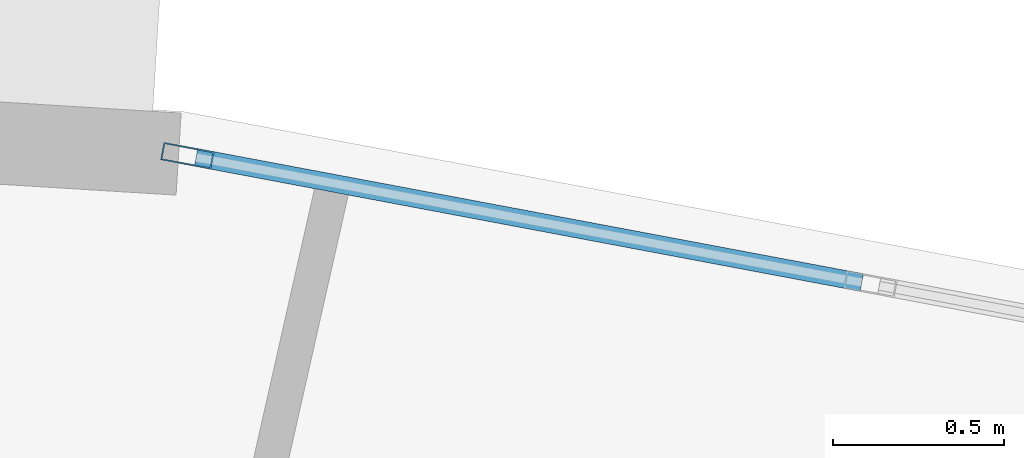
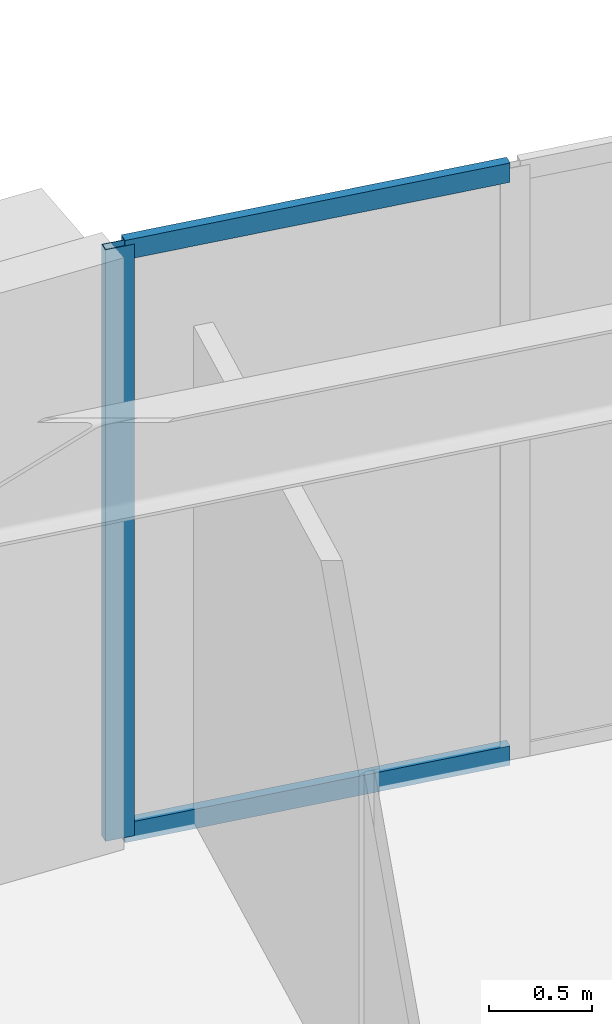
# One storey, part 4 of 20: 3 members, 1 element without a shape of its own.
"""IFC4 building model written with IfcOpenShell, lengths in metres."""

from ifc_helpers import new_model, si_unit, direction, frame, origin, origin_2d, place, context, subcontext, project, spatial, hollow_rectangle, extrude, source, transform, mapped, material, layer, layer_set, material_profile, profile_set, type_object, element, aggregate, save


model = new_model("IFC4")

# Units and contexts
model_context = context("Model", 3, precision=1e-05, world=origin(), true_north=direction((0.0, 1.0)))
body_context = subcontext(model_context, "Body", "Model", "MODEL_VIEW")
ifc_project = project(units=[si_unit("LENGTHUNIT", "METRE"), si_unit("AREAUNIT", "SQUARE_METRE"), si_unit("VOLUMEUNIT", "CUBIC_METRE"), si_unit("PLANEANGLEUNIT", "RADIAN"), si_unit("MASSUNIT", "GRAM", prefix="KILO")], contexts=[model_context])

# Site, building, storey
site_placement = place(None, origin())
site = spatial("IfcSite", under=ifc_project, at=site_placement, CompositionType="ELEMENT")
building_placement = place(site_placement, origin())
building = spatial("IfcBuilding", under=site, at=building_placement, Name="Linh Dai School and Residence Tower", CompositionType="ELEMENT")
storey_placement = place(building_placement, frame((0.0, 0.0, 163.64990234375)))
storey = spatial("IfcBuildingStorey", under=building, at=storey_placement, Name="L39", CompositionType="ELEMENT", Elevation=163.64990234375)

# Curtain wall, members
ifc_material_1 = material(Name="Aluminium Anodised Curtain Wall", Category="aluminium")
ifc_layer = layer(ifc_material_1, 0.14990234375)
ifc_layer_set = layer_set([ifc_layer], Name="Aluminium Anodised Curtain Wall")
curtain_wall_type = type_object("IfcCurtainWallType", Name="CW-SYS-4", PredefinedType="USERDEFINED", material=ifc_layer_set)
curtain_wall_placement = place(storey_placement, origin())
curtain_wall = element("IfcCurtainWall", 1, at=curtain_wall_placement, inside=storey, type_object=curtain_wall_type, Name="L39 CW4 Curtain Wall 09", ObjectType="RIBBON CURTAIN WALL", PredefinedType="USERDEFINED")
ifc_material_2 = material(Name="Aluminium Alloy 6063-T6", Category="aluminium")
ifc_material_profile_1 = material_profile(ifc_material_2, hollow_rectangle(XDim=0.052001953125, YDim=0.14990234375, WallThickness=0.00390625, at=origin_2d()), Name="RHS 150x52x4")
ifc_profile_set_1 = profile_set([ifc_material_profile_1], Name="Aluminium Alloy 6063-T6")
member_type_1 = type_object("IfcMemberType", Name="CW-SYS-4-MUL", PredefinedType="MULLION", material=ifc_profile_set_1)
shared_shape_1 = source(origin(), body_context, "Body", "SweptSolid", [
    extrude(hollow_rectangle(XDim=0.052001953125, YDim=0.14990234375, WallThickness=0.00390625, at=origin_2d()), origin(), (0.0, 0.0, 1.0), 3.5),
])
member_1_placement = place(storey_placement, frame((40.17138671875, 47.444580078125, 0.0), z_axis=(0.0, 0.0, 1.0), x_axis=(0.184762540184, 0.982783192645, 0.0)))
member_1 = element("IfcMember", 2, at=member_1_placement, type_object=member_type_1, Name="CW4 mullion 1", PredefinedType="MULLION", context=body_context, shape_type="MappedRepresentation", body=[
    mapped(shared_shape_1, transform((0.0, 0.0, 0.0), x_axis=(1.0, 0.0, 0.0), y_axis=(0.0, 1.0, 0.0), z_axis=(0.0, 0.0, 1.0), scale=1.0)),
])
ifc_material_profile_2 = material_profile(ifc_material_2, hollow_rectangle(XDim=0.052001953125, YDim=0.114990234375, WallThickness=0.00390625, at=origin_2d()), Name="RHS 115x52x4")
ifc_profile_set_2 = profile_set([ifc_material_profile_2], Name="Aluminium Alloy 6063-T6")
member_type_2 = type_object("IfcMemberType", Name="CW-SYS-4-TRN", PredefinedType="USERDEFINED", material=ifc_profile_set_2)
shared_shape_2 = source(origin(), body_context, "Body", "SweptSolid", [
    extrude(hollow_rectangle(XDim=0.052001953125, YDim=0.114990234375, WallThickness=0.00390625, at=origin_2d()), origin(), (0.0, 0.0, 1.0), 1.979248046875),
])
member_2_placement = place(storey_placement, frame((40.19677734375, 47.43994140625, 0.026123046875), z_axis=(0.982778495778, -0.184787521862, 0.0), x_axis=(0.184787521862, 0.982778495778, 0.0)))
member_2 = element("IfcMember", 3, at=member_2_placement, type_object=member_type_2, Name="CW4 transom 1.1", ObjectType="TRANSOM", PredefinedType="USERDEFINED", context=body_context, shape_type="MappedRepresentation", body=[
    mapped(shared_shape_2, transform((0.0, 0.0, 0.0), x_axis=(1.0, 0.0, 0.0), y_axis=(0.0, 1.0, 0.0), z_axis=(0.0, 0.0, 1.0), scale=1.0)),
])
member_3_placement = place(storey_placement, frame((40.19677734375, 47.43994140625, 3.47412109375), z_axis=(0.982778495778, -0.184787521862, 0.0), x_axis=(0.184787521862, 0.982778495778, 0.0)))
member_3 = element("IfcMember", 4, at=member_3_placement, type_object=member_type_2, Name="CW4 transom 1.2", ObjectType="TRANSOM", PredefinedType="USERDEFINED", context=body_context, shape_type="MappedRepresentation", body=[
    mapped(shared_shape_2, transform((0.0, 0.0, 0.0), x_axis=(1.0, 0.0, 0.0), y_axis=(0.0, 1.0, 0.0), z_axis=(0.0, 0.0, 1.0), scale=1.0)),
])
aggregate(curtain_wall, [member_1, member_2, member_3])

save(model, "model.ifc")
